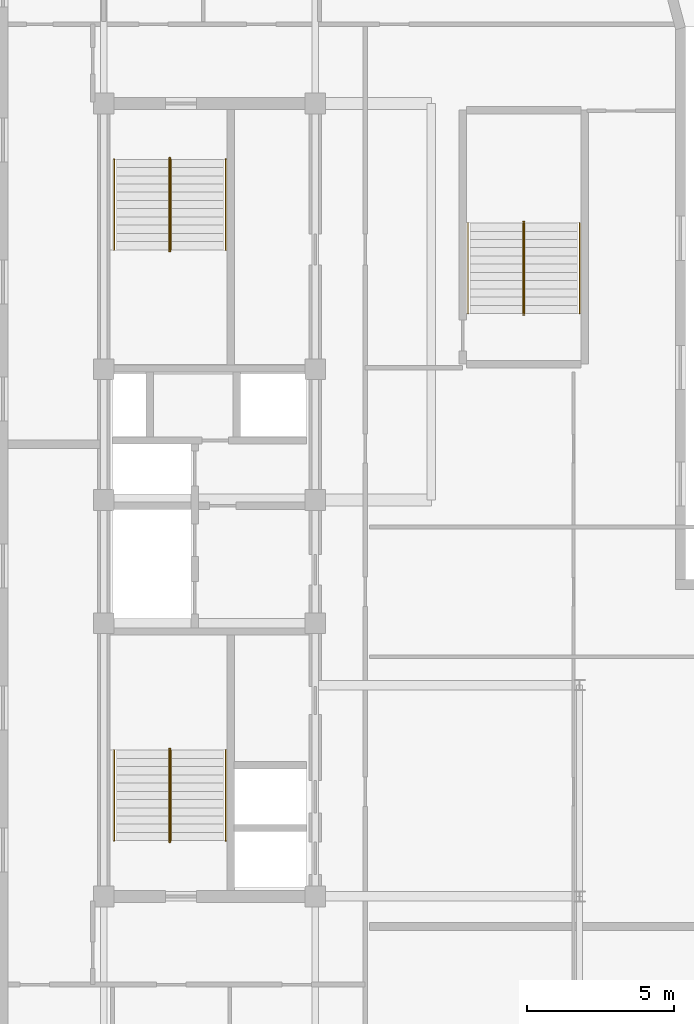
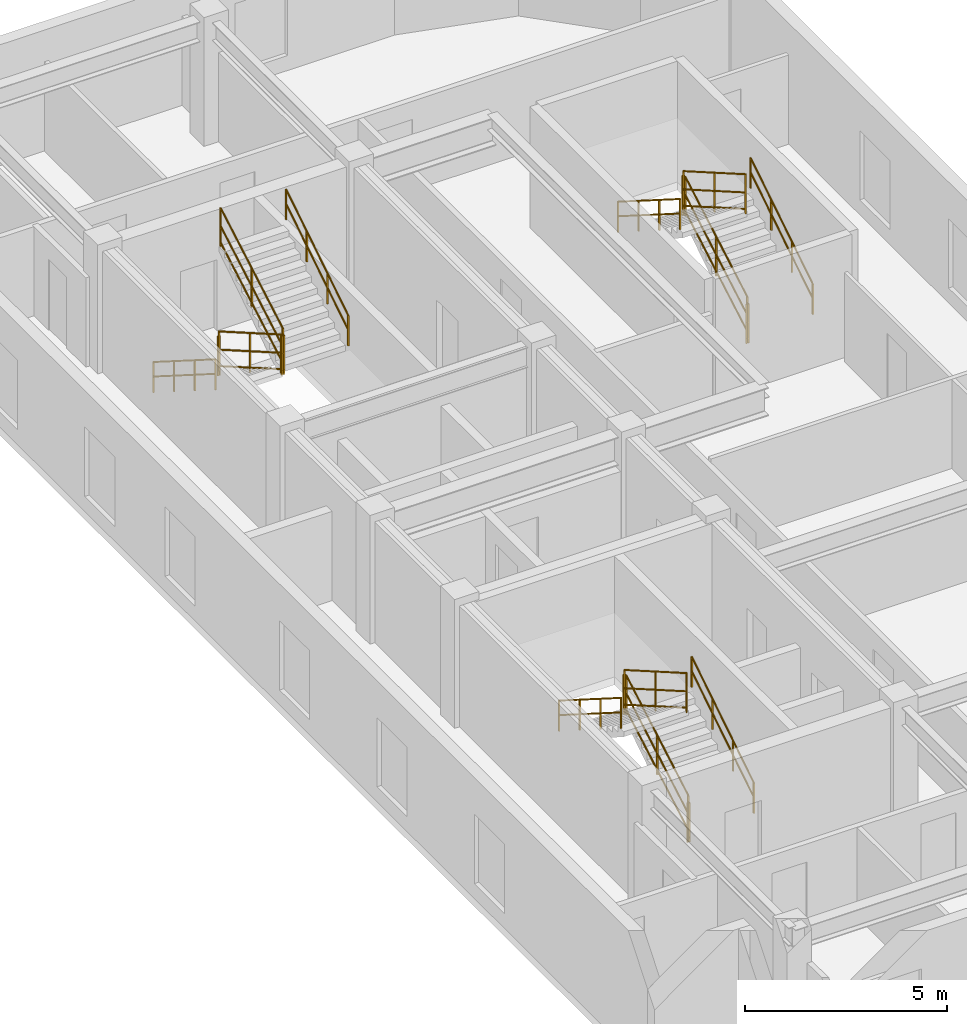
# One storey, part 5 of 5: 18 railings.
"""IFC4 building model written with IfcOpenShell, lengths in metres."""

from ifc_helpers import new_model, entity, si_unit, converted_unit, direction, frame, origin_with_axes, origin_2d_with_axis, place, context, subcontext, project, spatial, rectangle, circle, extrude, material, type_object, element, save


model = new_model("IFC4")

# Units and contexts
model_context = context("Model", 3, precision=1e-05, world=origin_with_axes(), true_north=direction((0.0, 1.0)))
body_context = subcontext(model_context, "Body", "Model", "MODEL_VIEW")
ifc_project = project(units=[si_unit("LENGTHUNIT", "METRE"), si_unit("AREAUNIT", "SQUARE_METRE"), si_unit("VOLUMEUNIT", "CUBIC_METRE"), converted_unit("PLANEANGLEUNIT", "DEGREE", entity("IfcPlaneAngleMeasure", 0.017453292519943295), si_unit("PLANEANGLEUNIT", "RADIAN"), dimensions=[0, 0, 0, 0, 0, 0, 0]), si_unit("MASSUNIT", "GRAM", prefix="KILO"), si_unit("THERMODYNAMICTEMPERATUREUNIT", "KELVIN")], contexts=[model_context])

# Site, building, storey
site_placement = place(None, origin_with_axes())
site = spatial("IfcSite", under=ifc_project, at=site_placement, CompositionType="ELEMENT")
building_placement = place(site_placement, origin_with_axes())
building = spatial("IfcBuilding", under=site, at=building_placement, Name="Varnlund Millrace Tower", CompositionType="ELEMENT")
storey_placement = place(building_placement, frame((0.0, 0.0, 295.8), z_axis=(0.0, 0.0, 1.0), x_axis=(1.0, 0.0, 0.0)))
storey = spatial("IfcBuildingStorey", under=building, at=storey_placement, Name="L73", CompositionType="ELEMENT", Elevation=295.8)

# Railings
ifc_material_1 = material(Name="Painted steel stair well balustrade guard", Category="steel")
railing_type_1 = type_object("IfcRailingType", Name="Type-StairGuard-1150", PredefinedType="GUARDRAIL", material=ifc_material_1)
railing_1_placement = place(storey_placement, frame((0.0, 0.0, -295.8), z_axis=(0.0, 0.0, 1.0), x_axis=(1.0, 0.0, 0.0)))
element("IfcRailing", 1, at=railing_1_placement, inside=storey, type_object=railing_type_1, Name="Type-StairGuard-1150", PredefinedType="GUARDRAIL", context=body_context, shape_type="SweptSolid", body=[
    extrude(circle(Radius=0.024, at=origin_2d_with_axis()), frame((13.675, 12.7, 297.127273), z_axis=(0.0, 0.866696, 0.498836), x_axis=(-1.0, 0.0, 0.0)), (0.0, 0.0, 1.0), 3.553725),
    extrude(circle(Radius=0.024, at=origin_2d_with_axis()), frame((13.675, 12.7, 296.077273), z_axis=(0.0, 0.866696, 0.498836), x_axis=(-1.0, 0.0, 0.0)), (0.0, 0.0, 1.0), 3.553725),
    extrude(circle(Radius=0.024, at=origin_2d_with_axis()), frame((13.675, 12.7, 296.575273), z_axis=(0.0, 0.866696, 0.498836), x_axis=(-1.0, 0.0, 0.0)), (0.0, 0.0, 1.0), 3.553725),
    extrude(rectangle(XDim=0.04, YDim=0.04, at=origin_2d_with_axis()), frame((13.675, 12.7, 295.937273), z_axis=(0.0, 0.0, 1.0), x_axis=(1.0, 0.0, 0.0)), (0.0, 0.0, 1.0), 1.19),
    extrude(rectangle(XDim=0.04, YDim=0.04, at=origin_2d_with_axis()), frame((13.675, 14.24, 296.823636), z_axis=(0.0, 0.0, 1.0), x_axis=(1.0, 0.0, 0.0)), (0.0, 0.0, 1.0), 1.19),
    extrude(rectangle(XDim=0.04, YDim=0.04, at=origin_2d_with_axis()), frame((13.675, 15.78, 297.71), z_axis=(0.0, 0.0, 1.0), x_axis=(1.0, 0.0, 0.0)), (0.0, 0.0, 1.0), 1.19),
])
railing_2_placement = place(storey_placement, frame((0.0, 0.0, -295.8), z_axis=(0.0, 0.0, 1.0), x_axis=(1.0, 0.0, 0.0)))
element("IfcRailing", 2, at=railing_2_placement, inside=storey, type_object=railing_type_1, Name="Type-StairGuard-1150", PredefinedType="GUARDRAIL", context=body_context, shape_type="SweptSolid", body=[
    extrude(circle(Radius=0.024, at=origin_2d_with_axis()), frame((13.625, 15.83, 298.9), z_axis=(1.0, 0.0, 0.0), x_axis=(0.0, 1.0, 0.0)), (0.0, 0.0, 1.0), 0.05),
    extrude(circle(Radius=0.024, at=origin_2d_with_axis()), frame((13.625, 15.83, 297.85), z_axis=(1.0, 0.0, 0.0), x_axis=(0.0, 1.0, 0.0)), (0.0, 0.0, 1.0), 0.05),
    extrude(circle(Radius=0.024, at=origin_2d_with_axis()), frame((13.625, 15.83, 298.348), z_axis=(1.0, 0.0, 0.0), x_axis=(0.0, 1.0, 0.0)), (0.0, 0.0, 1.0), 0.05),
    extrude(rectangle(XDim=0.04, YDim=0.04, at=origin_2d_with_axis()), frame((13.625, 15.83, 297.71), z_axis=(0.0, 0.0, 1.0), x_axis=(1.0, 0.0, 0.0)), (0.0, 0.0, 1.0), 1.19),
    extrude(rectangle(XDim=0.04, YDim=0.04, at=origin_2d_with_axis()), frame((13.675, 15.83, 297.71), z_axis=(0.0, 0.0, 1.0), x_axis=(1.0, 0.0, 0.0)), (0.0, 0.0, 1.0), 1.19),
])
railing_3_placement = place(storey_placement, frame((0.0, 0.0, -295.8), z_axis=(0.0, 0.0, 1.0), x_axis=(1.0, 0.0, 0.0)))
element("IfcRailing", 3, at=railing_3_placement, inside=storey, type_object=railing_type_1, Name="Type-StairGuard-1150", PredefinedType="GUARDRAIL", context=body_context, shape_type="SweptSolid", body=[
    extrude(circle(Radius=0.024, at=origin_2d_with_axis()), frame((13.625, 15.78, 299.077273), z_axis=(0.0, -0.866696, 0.498836), x_axis=(1.0, 0.0, 0.0)), (0.0, 0.0, 1.0), 3.553725),
    extrude(circle(Radius=0.024, at=origin_2d_with_axis()), frame((13.625, 15.78, 298.027273), z_axis=(0.0, -0.866696, 0.498836), x_axis=(1.0, 0.0, 0.0)), (0.0, 0.0, 1.0), 3.553725),
    extrude(circle(Radius=0.024, at=origin_2d_with_axis()), frame((13.625, 15.78, 298.525273), z_axis=(0.0, -0.866696, 0.498836), x_axis=(1.0, 0.0, 0.0)), (0.0, 0.0, 1.0), 3.553725),
    extrude(rectangle(XDim=0.04, YDim=0.04, at=origin_2d_with_axis()), frame((13.625, 15.78, 297.887273), z_axis=(0.0, 0.0, 1.0), x_axis=(1.0, 0.0, 0.0)), (0.0, 0.0, 1.0), 1.19),
    extrude(rectangle(XDim=0.04, YDim=0.04, at=origin_2d_with_axis()), frame((13.625, 14.24, 298.773636), z_axis=(0.0, 0.0, 1.0), x_axis=(1.0, 0.0, 0.0)), (0.0, 0.0, 1.0), 1.19),
    extrude(rectangle(XDim=0.04, YDim=0.04, at=origin_2d_with_axis()), frame((13.625, 12.7, 299.66), z_axis=(0.0, 0.0, 1.0), x_axis=(1.0, 0.0, 0.0)), (0.0, 0.0, 1.0), 1.19),
])
railing_4_placement = place(storey_placement, frame((0.0, 0.0, -295.8), z_axis=(0.0, 0.0, 1.0), x_axis=(1.0, 0.0, 0.0)))
element("IfcRailing", 4, at=railing_4_placement, inside=storey, type_object=railing_type_1, Name="Type-StairGuard-1150", PredefinedType="GUARDRAIL", context=body_context, shape_type="SweptSolid", body=[
    extrude(circle(Radius=0.024, at=origin_2d_with_axis()), frame((13.625, 12.65, 296.95), z_axis=(1.0, 0.0, 0.0), x_axis=(0.0, 1.0, 0.0)), (0.0, 0.0, 1.0), 0.05),
    extrude(circle(Radius=0.024, at=origin_2d_with_axis()), frame((13.625, 12.65, 295.9), z_axis=(1.0, 0.0, 0.0), x_axis=(0.0, 1.0, 0.0)), (0.0, 0.0, 1.0), 0.05),
    extrude(circle(Radius=0.024, at=origin_2d_with_axis()), frame((13.625, 12.65, 296.398), z_axis=(1.0, 0.0, 0.0), x_axis=(0.0, 1.0, 0.0)), (0.0, 0.0, 1.0), 0.05),
    extrude(rectangle(XDim=0.04, YDim=0.04, at=origin_2d_with_axis()), frame((13.625, 12.65, 295.76), z_axis=(0.0, 0.0, 1.0), x_axis=(1.0, 0.0, 0.0)), (0.0, 0.0, 1.0), 1.19),
    extrude(rectangle(XDim=0.04, YDim=0.04, at=origin_2d_with_axis()), frame((13.675, 12.65, 295.76), z_axis=(0.0, 0.0, 1.0), x_axis=(1.0, 0.0, 0.0)), (0.0, 0.0, 1.0), 1.19),
])
railing_5_placement = place(storey_placement, frame((0.0, 0.0, -295.8), z_axis=(0.0, 0.0, 1.0), x_axis=(1.0, 0.0, 0.0)))
element("IfcRailing", 5, at=railing_5_placement, inside=storey, type_object=railing_type_1, Name="Type-StairGuard-1150", PredefinedType="GUARDRAIL", context=body_context, shape_type="SweptSolid", body=[
    extrude(circle(Radius=0.024, at=origin_2d_with_axis()), frame((13.625, 35.9, 297.127273), z_axis=(0.0, -0.866696, 0.498836), x_axis=(1.0, 0.0, 0.0)), (0.0, 0.0, 1.0), 3.553725),
    extrude(circle(Radius=0.024, at=origin_2d_with_axis()), frame((13.625, 35.9, 296.077273), z_axis=(0.0, -0.866696, 0.498836), x_axis=(1.0, 0.0, 0.0)), (0.0, 0.0, 1.0), 3.553725),
    extrude(circle(Radius=0.024, at=origin_2d_with_axis()), frame((13.625, 35.9, 296.575273), z_axis=(0.0, -0.866696, 0.498836), x_axis=(1.0, 0.0, 0.0)), (0.0, 0.0, 1.0), 3.553725),
    extrude(rectangle(XDim=0.04, YDim=0.04, at=origin_2d_with_axis()), frame((13.625, 35.9, 295.937273), z_axis=(0.0, 0.0, 1.0), x_axis=(1.0, 0.0, 0.0)), (0.0, 0.0, 1.0), 1.19),
    extrude(rectangle(XDim=0.04, YDim=0.04, at=origin_2d_with_axis()), frame((13.625, 34.36, 296.823636), z_axis=(0.0, 0.0, 1.0), x_axis=(1.0, 0.0, 0.0)), (0.0, 0.0, 1.0), 1.19),
    extrude(rectangle(XDim=0.04, YDim=0.04, at=origin_2d_with_axis()), frame((13.625, 32.82, 297.71), z_axis=(0.0, 0.0, 1.0), x_axis=(1.0, 0.0, 0.0)), (0.0, 0.0, 1.0), 1.19),
])
railing_6_placement = place(storey_placement, frame((0.0, 0.0, -295.8), z_axis=(0.0, 0.0, 1.0), x_axis=(1.0, 0.0, 0.0)))
element("IfcRailing", 6, at=railing_6_placement, inside=storey, type_object=railing_type_1, Name="Type-StairGuard-1150", PredefinedType="GUARDRAIL", context=body_context, shape_type="SweptSolid", body=[
    extrude(circle(Radius=0.024, at=origin_2d_with_axis()), frame((13.675, 32.77, 298.9), z_axis=(-1.0, 0.0, 0.0), x_axis=(0.0, -1.0, 0.0)), (0.0, 0.0, 1.0), 0.05),
    extrude(circle(Radius=0.024, at=origin_2d_with_axis()), frame((13.675, 32.77, 297.85), z_axis=(-1.0, 0.0, 0.0), x_axis=(0.0, -1.0, 0.0)), (0.0, 0.0, 1.0), 0.05),
    extrude(circle(Radius=0.024, at=origin_2d_with_axis()), frame((13.675, 32.77, 298.348), z_axis=(-1.0, 0.0, 0.0), x_axis=(0.0, -1.0, 0.0)), (0.0, 0.0, 1.0), 0.05),
    extrude(rectangle(XDim=0.04, YDim=0.04, at=origin_2d_with_axis()), frame((13.675, 32.77, 297.71), z_axis=(0.0, 0.0, 1.0), x_axis=(1.0, 0.0, 0.0)), (0.0, 0.0, 1.0), 1.19),
    extrude(rectangle(XDim=0.04, YDim=0.04, at=origin_2d_with_axis()), frame((13.625, 32.77, 297.71), z_axis=(0.0, 0.0, 1.0), x_axis=(1.0, 0.0, 0.0)), (0.0, 0.0, 1.0), 1.19),
])
railing_7_placement = place(storey_placement, frame((0.0, 0.0, -295.8), z_axis=(0.0, 0.0, 1.0), x_axis=(1.0, 0.0, 0.0)))
element("IfcRailing", 7, at=railing_7_placement, inside=storey, type_object=railing_type_1, Name="Type-StairGuard-1150", PredefinedType="GUARDRAIL", context=body_context, shape_type="SweptSolid", body=[
    extrude(circle(Radius=0.024, at=origin_2d_with_axis()), frame((13.675, 32.82, 299.077273), z_axis=(0.0, 0.866696, 0.498836), x_axis=(-1.0, 0.0, 0.0)), (0.0, 0.0, 1.0), 3.553725),
    extrude(circle(Radius=0.024, at=origin_2d_with_axis()), frame((13.675, 32.82, 298.027273), z_axis=(0.0, 0.866696, 0.498836), x_axis=(-1.0, 0.0, 0.0)), (0.0, 0.0, 1.0), 3.553725),
    extrude(circle(Radius=0.024, at=origin_2d_with_axis()), frame((13.675, 32.82, 298.525273), z_axis=(0.0, 0.866696, 0.498836), x_axis=(-1.0, 0.0, 0.0)), (0.0, 0.0, 1.0), 3.553725),
    extrude(rectangle(XDim=0.04, YDim=0.04, at=origin_2d_with_axis()), frame((13.675, 32.82, 297.887273), z_axis=(0.0, 0.0, 1.0), x_axis=(1.0, 0.0, 0.0)), (0.0, 0.0, 1.0), 1.19),
    extrude(rectangle(XDim=0.04, YDim=0.04, at=origin_2d_with_axis()), frame((13.675, 34.36, 298.773636), z_axis=(0.0, 0.0, 1.0), x_axis=(1.0, 0.0, 0.0)), (0.0, 0.0, 1.0), 1.19),
    extrude(rectangle(XDim=0.04, YDim=0.04, at=origin_2d_with_axis()), frame((13.675, 35.9, 299.66), z_axis=(0.0, 0.0, 1.0), x_axis=(1.0, 0.0, 0.0)), (0.0, 0.0, 1.0), 1.19),
])
railing_8_placement = place(storey_placement, frame((0.0, 0.0, -295.8), z_axis=(0.0, 0.0, 1.0), x_axis=(1.0, 0.0, 0.0)))
element("IfcRailing", 8, at=railing_8_placement, inside=storey, type_object=railing_type_1, Name="Type-StairGuard-1150", PredefinedType="GUARDRAIL", context=body_context, shape_type="SweptSolid", body=[
    extrude(circle(Radius=0.024, at=origin_2d_with_axis()), frame((13.675, 35.95, 296.95), z_axis=(-1.0, 0.0, 0.0), x_axis=(0.0, -1.0, 0.0)), (0.0, 0.0, 1.0), 0.05),
    extrude(circle(Radius=0.024, at=origin_2d_with_axis()), frame((13.675, 35.95, 295.9), z_axis=(-1.0, 0.0, 0.0), x_axis=(0.0, -1.0, 0.0)), (0.0, 0.0, 1.0), 0.05),
    extrude(circle(Radius=0.024, at=origin_2d_with_axis()), frame((13.675, 35.95, 296.398), z_axis=(-1.0, 0.0, 0.0), x_axis=(0.0, -1.0, 0.0)), (0.0, 0.0, 1.0), 0.05),
    extrude(rectangle(XDim=0.04, YDim=0.04, at=origin_2d_with_axis()), frame((13.675, 35.95, 295.76), z_axis=(0.0, 0.0, 1.0), x_axis=(1.0, 0.0, 0.0)), (0.0, 0.0, 1.0), 1.19),
    extrude(rectangle(XDim=0.04, YDim=0.04, at=origin_2d_with_axis()), frame((13.625, 35.95, 295.76), z_axis=(0.0, 0.0, 1.0), x_axis=(1.0, 0.0, 0.0)), (0.0, 0.0, 1.0), 1.19),
])
railing_9_placement = place(storey_placement, frame((0.0, 0.0, -295.8), z_axis=(0.0, 0.0, 1.0), x_axis=(1.0, 0.0, 0.0)))
element("IfcRailing", 9, at=railing_9_placement, inside=storey, type_object=railing_type_1, Name="Type-StairGuard-1150", PredefinedType="GUARDRAIL", context=body_context, shape_type="SweptSolid", body=[
    extrude(circle(Radius=0.024, at=origin_2d_with_axis()), frame((25.725, 30.65, 297.127273), z_axis=(0.0, 0.866696, 0.498836), x_axis=(-1.0, 0.0, 0.0)), (0.0, 0.0, 1.0), 3.553725),
    extrude(circle(Radius=0.024, at=origin_2d_with_axis()), frame((25.725, 30.65, 296.077273), z_axis=(0.0, 0.866696, 0.498836), x_axis=(-1.0, 0.0, 0.0)), (0.0, 0.0, 1.0), 3.553725),
    extrude(circle(Radius=0.024, at=origin_2d_with_axis()), frame((25.725, 30.65, 296.575273), z_axis=(0.0, 0.866696, 0.498836), x_axis=(-1.0, 0.0, 0.0)), (0.0, 0.0, 1.0), 3.553725),
    extrude(rectangle(XDim=0.04, YDim=0.04, at=origin_2d_with_axis()), frame((25.725, 30.65, 295.937273), z_axis=(0.0, 0.0, 1.0), x_axis=(1.0, 0.0, 0.0)), (0.0, 0.0, 1.0), 1.19),
    extrude(rectangle(XDim=0.04, YDim=0.04, at=origin_2d_with_axis()), frame((25.725, 32.19, 296.823636), z_axis=(0.0, 0.0, 1.0), x_axis=(1.0, 0.0, 0.0)), (0.0, 0.0, 1.0), 1.19),
    extrude(rectangle(XDim=0.04, YDim=0.04, at=origin_2d_with_axis()), frame((25.725, 33.73, 297.71), z_axis=(0.0, 0.0, 1.0), x_axis=(1.0, 0.0, 0.0)), (0.0, 0.0, 1.0), 1.19),
])
railing_10_placement = place(storey_placement, frame((0.0, 0.0, -295.8), z_axis=(0.0, 0.0, 1.0), x_axis=(1.0, 0.0, 0.0)))
element("IfcRailing", 10, at=railing_10_placement, inside=storey, type_object=railing_type_1, Name="Type-StairGuard-1150", PredefinedType="GUARDRAIL", context=body_context, shape_type="SweptSolid", body=[
    extrude(circle(Radius=0.024, at=origin_2d_with_axis()), frame((25.675, 33.78, 298.9), z_axis=(1.0, 0.0, 0.0), x_axis=(0.0, 1.0, 0.0)), (0.0, 0.0, 1.0), 0.05),
    extrude(circle(Radius=0.024, at=origin_2d_with_axis()), frame((25.675, 33.78, 297.85), z_axis=(1.0, 0.0, 0.0), x_axis=(0.0, 1.0, 0.0)), (0.0, 0.0, 1.0), 0.05),
    extrude(circle(Radius=0.024, at=origin_2d_with_axis()), frame((25.675, 33.78, 298.348), z_axis=(1.0, 0.0, 0.0), x_axis=(0.0, 1.0, 0.0)), (0.0, 0.0, 1.0), 0.05),
    extrude(rectangle(XDim=0.04, YDim=0.04, at=origin_2d_with_axis()), frame((25.675, 33.78, 297.71), z_axis=(0.0, 0.0, 1.0), x_axis=(1.0, 0.0, 0.0)), (0.0, 0.0, 1.0), 1.19),
    extrude(rectangle(XDim=0.04, YDim=0.04, at=origin_2d_with_axis()), frame((25.725, 33.78, 297.71), z_axis=(0.0, 0.0, 1.0), x_axis=(1.0, 0.0, 0.0)), (0.0, 0.0, 1.0), 1.19),
])
railing_11_placement = place(storey_placement, frame((0.0, 0.0, -295.8), z_axis=(0.0, 0.0, 1.0), x_axis=(1.0, 0.0, 0.0)))
element("IfcRailing", 11, at=railing_11_placement, inside=storey, type_object=railing_type_1, Name="Type-StairGuard-1150", PredefinedType="GUARDRAIL", context=body_context, shape_type="SweptSolid", body=[
    extrude(circle(Radius=0.024, at=origin_2d_with_axis()), frame((25.675, 33.73, 299.077273), z_axis=(0.0, -0.866696, 0.498836), x_axis=(1.0, 0.0, 0.0)), (0.0, 0.0, 1.0), 3.553725),
    extrude(circle(Radius=0.024, at=origin_2d_with_axis()), frame((25.675, 33.73, 298.027273), z_axis=(0.0, -0.866696, 0.498836), x_axis=(1.0, 0.0, 0.0)), (0.0, 0.0, 1.0), 3.553725),
    extrude(circle(Radius=0.024, at=origin_2d_with_axis()), frame((25.675, 33.73, 298.525273), z_axis=(0.0, -0.866696, 0.498836), x_axis=(1.0, 0.0, 0.0)), (0.0, 0.0, 1.0), 3.553725),
    extrude(rectangle(XDim=0.04, YDim=0.04, at=origin_2d_with_axis()), frame((25.675, 33.73, 297.887273), z_axis=(0.0, 0.0, 1.0), x_axis=(1.0, 0.0, 0.0)), (0.0, 0.0, 1.0), 1.19),
    extrude(rectangle(XDim=0.04, YDim=0.04, at=origin_2d_with_axis()), frame((25.675, 32.19, 298.773636), z_axis=(0.0, 0.0, 1.0), x_axis=(1.0, 0.0, 0.0)), (0.0, 0.0, 1.0), 1.19),
    extrude(rectangle(XDim=0.04, YDim=0.04, at=origin_2d_with_axis()), frame((25.675, 30.65, 299.66), z_axis=(0.0, 0.0, 1.0), x_axis=(1.0, 0.0, 0.0)), (0.0, 0.0, 1.0), 1.19),
])
railing_12_placement = place(storey_placement, frame((0.0, 0.0, -295.8), z_axis=(0.0, 0.0, 1.0), x_axis=(1.0, 0.0, 0.0)))
element("IfcRailing", 12, at=railing_12_placement, inside=storey, type_object=railing_type_1, Name="Type-StairGuard-1150", PredefinedType="GUARDRAIL", context=body_context, shape_type="SweptSolid", body=[
    extrude(circle(Radius=0.024, at=origin_2d_with_axis()), frame((25.675, 30.6, 296.95), z_axis=(1.0, 0.0, 0.0), x_axis=(0.0, 1.0, 0.0)), (0.0, 0.0, 1.0), 0.05),
    extrude(circle(Radius=0.024, at=origin_2d_with_axis()), frame((25.675, 30.6, 295.9), z_axis=(1.0, 0.0, 0.0), x_axis=(0.0, 1.0, 0.0)), (0.0, 0.0, 1.0), 0.05),
    extrude(circle(Radius=0.024, at=origin_2d_with_axis()), frame((25.675, 30.6, 296.398), z_axis=(1.0, 0.0, 0.0), x_axis=(0.0, 1.0, 0.0)), (0.0, 0.0, 1.0), 0.05),
    extrude(rectangle(XDim=0.04, YDim=0.04, at=origin_2d_with_axis()), frame((25.675, 30.6, 295.76), z_axis=(0.0, 0.0, 1.0), x_axis=(1.0, 0.0, 0.0)), (0.0, 0.0, 1.0), 1.19),
    extrude(rectangle(XDim=0.04, YDim=0.04, at=origin_2d_with_axis()), frame((25.725, 30.6, 295.76), z_axis=(0.0, 0.0, 1.0), x_axis=(1.0, 0.0, 0.0)), (0.0, 0.0, 1.0), 1.19),
])
ifc_material_2 = material(Name="Brushed architectural bronze stair handrail", Category="aluminium")
railing_type_2 = type_object("IfcRailingType", Name="Type-StairHandrail-900", PredefinedType="HANDRAIL", material=ifc_material_2)
railing_13_placement = place(storey_placement, frame((0.0, 0.0, -295.8), z_axis=(0.0, 0.0, 1.0), x_axis=(1.0, 0.0, 0.0)))
element("IfcRailing", 13, at=railing_13_placement, inside=storey, type_object=railing_type_2, Name="Type-StairHandrail-900", PredefinedType="HANDRAIL", context=body_context, shape_type="SweptSolid", body=[
    extrude(circle(Radius=0.024, at=origin_2d_with_axis()), frame((15.55, 12.7, 296.856995), z_axis=(0.0, 0.844902, 0.534922), x_axis=(-1.0, 0.0, 0.0)), (0.0, 0.0, 1.0), 3.645394),
    extrude(circle(Radius=0.024, at=origin_2d_with_axis()), frame((15.55, 12.7, 296.417134), z_axis=(0.0, 0.844902, 0.534922), x_axis=(-1.0, 0.0, 0.0)), (0.0, 0.0, 1.0), 3.645394),
    extrude(rectangle(XDim=0.04, YDim=0.04, at=origin_2d_with_axis()), frame((15.55, 12.7, 295.937273), z_axis=(0.0, 0.0, 1.0), x_axis=(1.0, 0.0, 0.0)), (0.0, 0.0, 1.0), 0.919722),
    extrude(rectangle(XDim=0.04, YDim=0.04, at=origin_2d_with_axis()), frame((15.55, 13.726667, 296.587273), z_axis=(0.0, 0.0, 1.0), x_axis=(1.0, 0.0, 0.0)), (0.0, 0.0, 1.0), 0.919722),
    extrude(rectangle(XDim=0.04, YDim=0.04, at=origin_2d_with_axis()), frame((15.55, 14.753333, 297.237273), z_axis=(0.0, 0.0, 1.0), x_axis=(1.0, 0.0, 0.0)), (0.0, 0.0, 1.0), 0.919722),
    extrude(rectangle(XDim=0.04, YDim=0.04, at=origin_2d_with_axis()), frame((15.55, 15.78, 297.887273), z_axis=(0.0, 0.0, 1.0), x_axis=(1.0, 0.0, 0.0)), (0.0, 0.0, 1.0), 0.919722),
])
railing_14_placement = place(storey_placement, frame((0.0, 0.0, -295.8), z_axis=(0.0, 0.0, 1.0), x_axis=(1.0, 0.0, 0.0)))
element("IfcRailing", 14, at=railing_14_placement, inside=storey, type_object=railing_type_2, Name="Type-StairHandrail-900", PredefinedType="HANDRAIL", context=body_context, shape_type="SweptSolid", body=[
    extrude(circle(Radius=0.024, at=origin_2d_with_axis()), frame((11.75, 15.78, 298.806995), z_axis=(0.0, -0.844902, 0.534922), x_axis=(1.0, 0.0, 0.0)), (0.0, 0.0, 1.0), 3.645394),
    extrude(circle(Radius=0.024, at=origin_2d_with_axis()), frame((11.75, 15.78, 298.367134), z_axis=(0.0, -0.844902, 0.534922), x_axis=(1.0, 0.0, 0.0)), (0.0, 0.0, 1.0), 3.645394),
    extrude(rectangle(XDim=0.04, YDim=0.04, at=origin_2d_with_axis()), frame((11.75, 15.78, 297.887273), z_axis=(0.0, 0.0, 1.0), x_axis=(1.0, 0.0, 0.0)), (0.0, 0.0, 1.0), 0.919722),
    extrude(rectangle(XDim=0.04, YDim=0.04, at=origin_2d_with_axis()), frame((11.75, 14.753333, 298.537273), z_axis=(0.0, 0.0, 1.0), x_axis=(1.0, 0.0, 0.0)), (0.0, 0.0, 1.0), 0.919722),
    extrude(rectangle(XDim=0.04, YDim=0.04, at=origin_2d_with_axis()), frame((11.75, 13.726667, 299.187273), z_axis=(0.0, 0.0, 1.0), x_axis=(1.0, 0.0, 0.0)), (0.0, 0.0, 1.0), 0.919722),
    extrude(rectangle(XDim=0.04, YDim=0.04, at=origin_2d_with_axis()), frame((11.75, 12.7, 299.837273), z_axis=(0.0, 0.0, 1.0), x_axis=(1.0, 0.0, 0.0)), (0.0, 0.0, 1.0), 0.919722),
])
railing_15_placement = place(storey_placement, frame((0.0, 0.0, -295.8), z_axis=(0.0, 0.0, 1.0), x_axis=(1.0, 0.0, 0.0)))
element("IfcRailing", 15, at=railing_15_placement, inside=storey, type_object=railing_type_2, Name="Type-StairHandrail-900", PredefinedType="HANDRAIL", context=body_context, shape_type="SweptSolid", body=[
    extrude(circle(Radius=0.024, at=origin_2d_with_axis()), frame((11.75, 35.9, 296.856995), z_axis=(0.0, -0.844902, 0.534922), x_axis=(1.0, 0.0, 0.0)), (0.0, 0.0, 1.0), 3.645394),
    extrude(circle(Radius=0.024, at=origin_2d_with_axis()), frame((11.75, 35.9, 296.417134), z_axis=(0.0, -0.844902, 0.534922), x_axis=(1.0, 0.0, 0.0)), (0.0, 0.0, 1.0), 3.645394),
    extrude(rectangle(XDim=0.04, YDim=0.04, at=origin_2d_with_axis()), frame((11.75, 35.9, 295.937273), z_axis=(0.0, 0.0, 1.0), x_axis=(1.0, 0.0, 0.0)), (0.0, 0.0, 1.0), 0.919722),
    extrude(rectangle(XDim=0.04, YDim=0.04, at=origin_2d_with_axis()), frame((11.75, 34.873333, 296.587273), z_axis=(0.0, 0.0, 1.0), x_axis=(1.0, 0.0, 0.0)), (0.0, 0.0, 1.0), 0.919722),
    extrude(rectangle(XDim=0.04, YDim=0.04, at=origin_2d_with_axis()), frame((11.75, 33.846667, 297.237273), z_axis=(0.0, 0.0, 1.0), x_axis=(1.0, 0.0, 0.0)), (0.0, 0.0, 1.0), 0.919722),
    extrude(rectangle(XDim=0.04, YDim=0.04, at=origin_2d_with_axis()), frame((11.75, 32.82, 297.887273), z_axis=(0.0, 0.0, 1.0), x_axis=(1.0, 0.0, 0.0)), (0.0, 0.0, 1.0), 0.919722),
])
railing_16_placement = place(storey_placement, frame((0.0, 0.0, -295.8), z_axis=(0.0, 0.0, 1.0), x_axis=(1.0, 0.0, 0.0)))
element("IfcRailing", 16, at=railing_16_placement, inside=storey, type_object=railing_type_2, Name="Type-StairHandrail-900", PredefinedType="HANDRAIL", context=body_context, shape_type="SweptSolid", body=[
    extrude(circle(Radius=0.024, at=origin_2d_with_axis()), frame((15.55, 32.82, 298.806995), z_axis=(0.0, 0.844902, 0.534922), x_axis=(-1.0, 0.0, 0.0)), (0.0, 0.0, 1.0), 3.645394),
    extrude(circle(Radius=0.024, at=origin_2d_with_axis()), frame((15.55, 32.82, 298.367134), z_axis=(0.0, 0.844902, 0.534922), x_axis=(-1.0, 0.0, 0.0)), (0.0, 0.0, 1.0), 3.645394),
    extrude(rectangle(XDim=0.04, YDim=0.04, at=origin_2d_with_axis()), frame((15.55, 32.82, 297.887273), z_axis=(0.0, 0.0, 1.0), x_axis=(1.0, 0.0, 0.0)), (0.0, 0.0, 1.0), 0.919722),
    extrude(rectangle(XDim=0.04, YDim=0.04, at=origin_2d_with_axis()), frame((15.55, 33.846667, 298.537273), z_axis=(0.0, 0.0, 1.0), x_axis=(1.0, 0.0, 0.0)), (0.0, 0.0, 1.0), 0.919722),
    extrude(rectangle(XDim=0.04, YDim=0.04, at=origin_2d_with_axis()), frame((15.55, 34.873333, 299.187273), z_axis=(0.0, 0.0, 1.0), x_axis=(1.0, 0.0, 0.0)), (0.0, 0.0, 1.0), 0.919722),
    extrude(rectangle(XDim=0.04, YDim=0.04, at=origin_2d_with_axis()), frame((15.55, 35.9, 299.837273), z_axis=(0.0, 0.0, 1.0), x_axis=(1.0, 0.0, 0.0)), (0.0, 0.0, 1.0), 0.919722),
])
railing_17_placement = place(storey_placement, frame((0.0, 0.0, -295.8), z_axis=(0.0, 0.0, 1.0), x_axis=(1.0, 0.0, 0.0)))
element("IfcRailing", 17, at=railing_17_placement, inside=storey, type_object=railing_type_2, Name="Type-StairHandrail-900", PredefinedType="HANDRAIL", context=body_context, shape_type="SweptSolid", body=[
    extrude(circle(Radius=0.024, at=origin_2d_with_axis()), frame((27.6, 30.65, 296.856995), z_axis=(0.0, 0.844902, 0.534922), x_axis=(-1.0, 0.0, 0.0)), (0.0, 0.0, 1.0), 3.645394),
    extrude(circle(Radius=0.024, at=origin_2d_with_axis()), frame((27.6, 30.65, 296.417134), z_axis=(0.0, 0.844902, 0.534922), x_axis=(-1.0, 0.0, 0.0)), (0.0, 0.0, 1.0), 3.645394),
    extrude(rectangle(XDim=0.04, YDim=0.04, at=origin_2d_with_axis()), frame((27.6, 30.65, 295.937273), z_axis=(0.0, 0.0, 1.0), x_axis=(1.0, 0.0, 0.0)), (0.0, 0.0, 1.0), 0.919722),
    extrude(rectangle(XDim=0.04, YDim=0.04, at=origin_2d_with_axis()), frame((27.6, 31.676667, 296.587273), z_axis=(0.0, 0.0, 1.0), x_axis=(1.0, 0.0, 0.0)), (0.0, 0.0, 1.0), 0.919722),
    extrude(rectangle(XDim=0.04, YDim=0.04, at=origin_2d_with_axis()), frame((27.6, 32.703333, 297.237273), z_axis=(0.0, 0.0, 1.0), x_axis=(1.0, 0.0, 0.0)), (0.0, 0.0, 1.0), 0.919722),
    extrude(rectangle(XDim=0.04, YDim=0.04, at=origin_2d_with_axis()), frame((27.6, 33.73, 297.887273), z_axis=(0.0, 0.0, 1.0), x_axis=(1.0, 0.0, 0.0)), (0.0, 0.0, 1.0), 0.919722),
])
railing_18_placement = place(storey_placement, frame((0.0, 0.0, -295.8), z_axis=(0.0, 0.0, 1.0), x_axis=(1.0, 0.0, 0.0)))
element("IfcRailing", 18, at=railing_18_placement, inside=storey, type_object=railing_type_2, Name="Type-StairHandrail-900", PredefinedType="HANDRAIL", context=body_context, shape_type="SweptSolid", body=[
    extrude(circle(Radius=0.024, at=origin_2d_with_axis()), frame((23.8, 33.73, 298.806995), z_axis=(0.0, -0.844902, 0.534922), x_axis=(1.0, 0.0, 0.0)), (0.0, 0.0, 1.0), 3.645394),
    extrude(circle(Radius=0.024, at=origin_2d_with_axis()), frame((23.8, 33.73, 298.367134), z_axis=(0.0, -0.844902, 0.534922), x_axis=(1.0, 0.0, 0.0)), (0.0, 0.0, 1.0), 3.645394),
    extrude(rectangle(XDim=0.04, YDim=0.04, at=origin_2d_with_axis()), frame((23.8, 33.73, 297.887273), z_axis=(0.0, 0.0, 1.0), x_axis=(1.0, 0.0, 0.0)), (0.0, 0.0, 1.0), 0.919722),
    extrude(rectangle(XDim=0.04, YDim=0.04, at=origin_2d_with_axis()), frame((23.8, 32.703333, 298.537273), z_axis=(0.0, 0.0, 1.0), x_axis=(1.0, 0.0, 0.0)), (0.0, 0.0, 1.0), 0.919722),
    extrude(rectangle(XDim=0.04, YDim=0.04, at=origin_2d_with_axis()), frame((23.8, 31.676667, 299.187273), z_axis=(0.0, 0.0, 1.0), x_axis=(1.0, 0.0, 0.0)), (0.0, 0.0, 1.0), 0.919722),
    extrude(rectangle(XDim=0.04, YDim=0.04, at=origin_2d_with_axis()), frame((23.8, 30.65, 299.837273), z_axis=(0.0, 0.0, 1.0), x_axis=(1.0, 0.0, 0.0)), (0.0, 0.0, 1.0), 0.919722),
])

save(model, "model.ifc")
